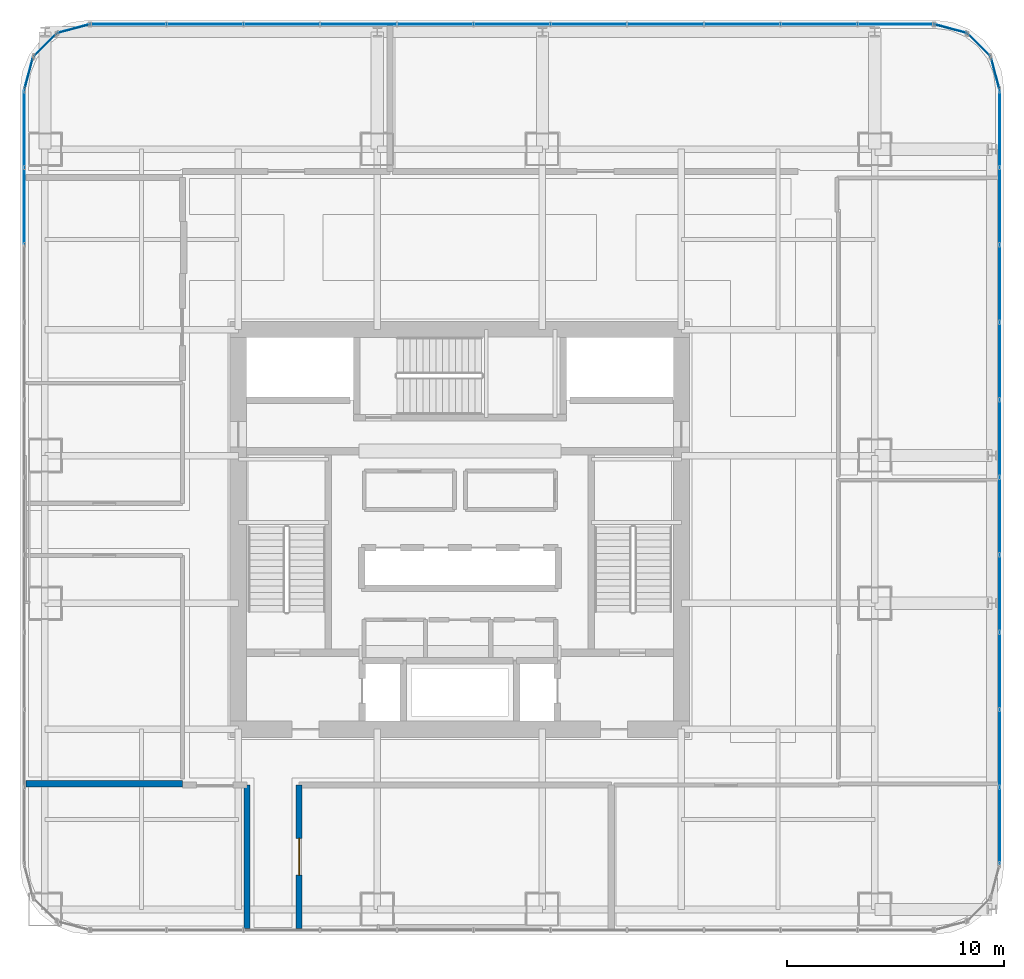
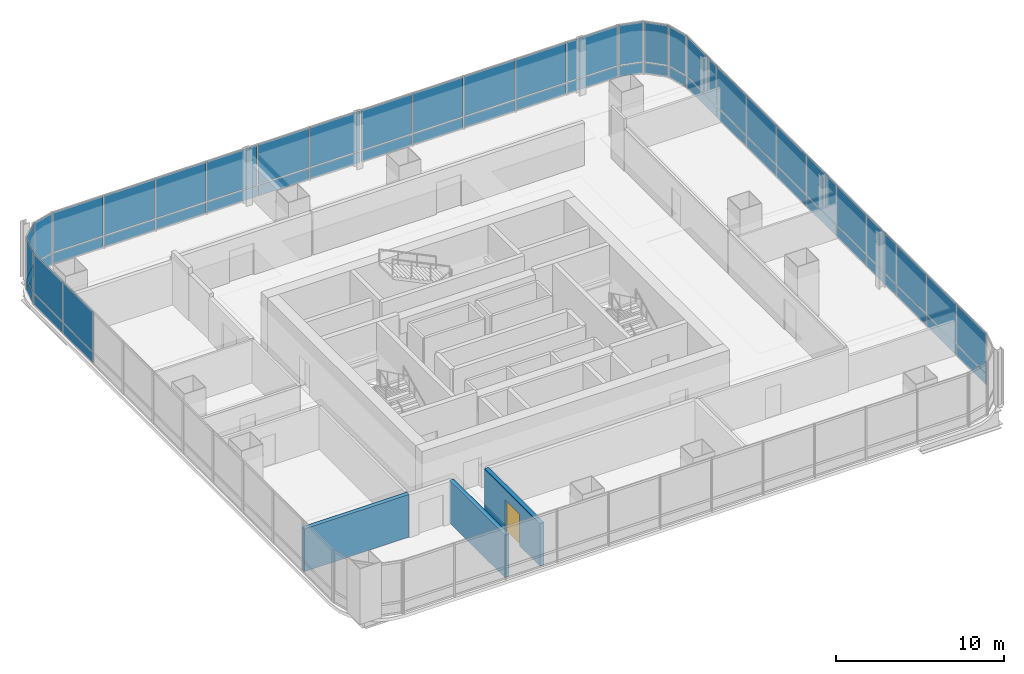
# One storey, part 26 of 34: 58 plates, 3 walls, 1 door, 1 opening, 9 elements without a shape of their own.
"""IFC4 building model written with IfcOpenShell, lengths in metres."""

from ifc_helpers import new_model, si_unit, direction, frame, frame_2d, origin, origin_2d, place, context, subcontext, project, spatial, rectangle, extrude, material, layer, layer_set, type_object, element, fill, aggregate, save


model = new_model("IFC4")

# Units and contexts
model_context = context("Model", 3, precision=1e-05, world=origin(), true_north=direction((0.0, 1.0)))
body_context = subcontext(model_context, "Body", "Model", "MODEL_VIEW")
ifc_project = project(units=[si_unit("LENGTHUNIT", "METRE"), si_unit("AREAUNIT", "SQUARE_METRE"), si_unit("VOLUMEUNIT", "CUBIC_METRE"), si_unit("PLANEANGLEUNIT", "RADIAN"), si_unit("MASSUNIT", "GRAM", prefix="KILO")], contexts=[model_context])

# Site, building, storey
site_placement = place(None, origin())
site = spatial("IfcSite", under=ifc_project, at=site_placement, CompositionType="ELEMENT")
building_placement = place(site_placement, origin())
building = spatial("IfcBuilding", under=site, at=building_placement, Name="Punatoya Terracotta Tower", CompositionType="ELEMENT")
storey_placement = place(building_placement, frame((0.0, 0.0, 101.10009765625)))
storey = spatial("IfcBuildingStorey", under=building, at=storey_placement, Name="L23", CompositionType="ELEMENT", Elevation=101.10009765625)

# Curtain wall, plates
ifc_material_1 = material(Name="Aluminium 6063-T6 + Double Low-E Glass", Category="aluminium")
curtain_wall_type = type_object("IfcCurtainWallType", Name="CW-M1", PredefinedType="NOTDEFINED", material=ifc_material_1)
curtain_wall_1_placement = place(storey_placement, origin())
curtain_wall_1 = element("IfcCurtainWall", 1, at=curtain_wall_1_placement, inside=storey, type_object=curtain_wall_type, Name="L23 Curtain Wall CW-L23-E05-1", PredefinedType="NOTDEFINED")
ifc_material_2 = material(Name="Double Low-E Clear Vision Glass", Category="glass")
ifc_layer_1 = layer(ifc_material_2, 0.028076171875)
ifc_layer_set_1 = layer_set([ifc_layer_1], Name="Double Low-E Clear Vision Glass")
plate_type_1 = type_object("IfcPlateType", Name="PLT-GLZ-28", PredefinedType="CURTAIN_PANEL", material=ifc_layer_set_1)
plate_1_placement = place(storey_placement, frame((24.85009765625, -13.6533203125, 0.889892578125), z_axis=(0.0, 0.0, 1.0), x_axis=(0.0, 1.0, 0.0)))
plate_1 = element("IfcPlate", 2, at=plate_1_placement, type_object=plate_type_1, Name="CW-L23-E05-1 Vision Glass Panel 1", PredefinedType="CURTAIN_PANEL", context=body_context, shape_type="SweptSolid", body=[
    extrude(rectangle(XDim=3.482421875, YDim=0.028076171875, at=origin_2d()), origin(), (0.0, 0.0, 1.0), 2.8798828125),
])
plate_2_placement = place(storey_placement, frame((24.85009765625, -10.085693359375, 0.889892578125), z_axis=(0.0, 0.0, 1.0), x_axis=(0.0, 1.0, 0.0)))
plate_2 = element("IfcPlate", 3, at=plate_2_placement, type_object=plate_type_1, Name="CW-L23-E05-1 Vision Glass Panel 2", PredefinedType="CURTAIN_PANEL", context=body_context, shape_type="SweptSolid", body=[
    extrude(rectangle(XDim=3.482421875, YDim=0.028076171875, at=origin_2d()), origin(), (0.0, 0.0, 1.0), 2.8798828125),
])
plate_3_placement = place(storey_placement, frame((24.85009765625, -6.518310546875, 0.889892578125), z_axis=(0.0, 0.0, 1.0), x_axis=(0.0, 1.0, 0.0)))
plate_3 = element("IfcPlate", 4, at=plate_3_placement, type_object=plate_type_1, Name="CW-L23-E05-1 Vision Glass Panel 3", PredefinedType="CURTAIN_PANEL", context=body_context, shape_type="SweptSolid", body=[
    extrude(rectangle(XDim=3.482421875, YDim=0.028076171875, at=origin_2d()), origin(), (0.0, 0.0, 1.0), 2.8798828125),
])
plate_4_placement = place(storey_placement, frame((24.85009765625, -2.951171875, 0.889892578125), z_axis=(0.0, 0.0, 1.0), x_axis=(0.0, 1.0, 0.0)))
plate_4 = element("IfcPlate", 5, at=plate_4_placement, type_object=plate_type_1, Name="CW-L23-E05-1 Vision Glass Panel 4", PredefinedType="CURTAIN_PANEL", context=body_context, shape_type="SweptSolid", body=[
    extrude(rectangle(XDim=3.482421875, YDim=0.028076171875, at=origin_2d()), origin(), (0.0, 0.0, 1.0), 2.8798828125),
])
plate_5_placement = place(storey_placement, frame((24.85009765625, 0.6162109375, 0.889892578125), z_axis=(0.0, 0.0, 1.0), x_axis=(0.0, 1.0, 0.0)))
plate_5 = element("IfcPlate", 6, at=plate_5_placement, type_object=plate_type_1, Name="CW-L23-E05-1 Vision Glass Panel 5", PredefinedType="CURTAIN_PANEL", context=body_context, shape_type="SweptSolid", body=[
    extrude(rectangle(XDim=3.482421875, YDim=0.028076171875, at=origin_2d()), origin(), (0.0, 0.0, 1.0), 2.8798828125),
])
plate_6_placement = place(storey_placement, frame((24.85009765625, 4.18359375, 0.889892578125), z_axis=(0.0, 0.0, 1.0), x_axis=(0.0, 1.0, 0.0)))
plate_6 = element("IfcPlate", 7, at=plate_6_placement, type_object=plate_type_1, Name="CW-L23-E05-1 Vision Glass Panel 6", PredefinedType="CURTAIN_PANEL", context=body_context, shape_type="SweptSolid", body=[
    extrude(rectangle(XDim=3.482421875, YDim=0.028076171875, at=origin_2d()), origin(), (0.0, 0.0, 1.0), 2.8798828125),
])
plate_7_placement = place(storey_placement, frame((24.85009765625, 7.751220703125, 0.889892578125), z_axis=(0.0, 0.0, 1.0), x_axis=(0.0, 1.0, 0.0)))
plate_7 = element("IfcPlate", 8, at=plate_7_placement, type_object=plate_type_1, Name="CW-L23-E05-1 Vision Glass Panel 7", PredefinedType="CURTAIN_PANEL", context=body_context, shape_type="SweptSolid", body=[
    extrude(rectangle(XDim=3.482421875, YDim=0.028076171875, at=origin_2d()), origin(), (0.0, 0.0, 1.0), 2.8798828125),
])
plate_8_placement = place(storey_placement, frame((24.85009765625, 11.318359375, 0.889892578125), z_axis=(0.0, 0.0, 1.0), x_axis=(0.0, 1.0, 0.0)))
plate_8 = element("IfcPlate", 9, at=plate_8_placement, type_object=plate_type_1, Name="CW-L23-E05-1 Vision Glass Panel 8", PredefinedType="CURTAIN_PANEL", context=body_context, shape_type="SweptSolid", body=[
    extrude(rectangle(XDim=3.482421875, YDim=0.028076171875, at=origin_2d()), origin(), (0.0, 0.0, 1.0), 2.8798828125),
])
plate_9_placement = place(storey_placement, frame((24.85009765625, 14.8857421875, 0.889892578125), z_axis=(0.0, 0.0, 1.0), x_axis=(0.0, 1.0, 0.0)))
plate_9 = element("IfcPlate", 10, at=plate_9_placement, type_object=plate_type_1, Name="CW-L23-E05-1 Vision Glass Panel 9", PredefinedType="CURTAIN_PANEL", context=body_context, shape_type="SweptSolid", body=[
    extrude(rectangle(XDim=3.482421875, YDim=0.028076171875, at=origin_2d()), origin(), (0.0, 0.0, 1.0), 2.8798828125),
])
plate_10_placement = place(storey_placement, frame((24.85009765625, 18.453125, 0.889892578125), z_axis=(0.0, 0.0, 1.0), x_axis=(0.0, 1.0, 0.0)))
plate_10 = element("IfcPlate", 11, at=plate_10_placement, type_object=plate_type_1, Name="CW-L23-E05-1 Vision Glass Panel 10", PredefinedType="CURTAIN_PANEL", context=body_context, shape_type="SweptSolid", body=[
    extrude(rectangle(XDim=3.482421875, YDim=0.028076171875, at=origin_2d()), origin(), (0.0, 0.0, 1.0), 2.8798828125),
])

# Curtain wall, plate
curtain_wall_2_placement = place(storey_placement, origin())
curtain_wall_2 = element("IfcCurtainWall", 12, at=curtain_wall_2_placement, inside=storey, type_object=curtain_wall_type, Name="L23 Curtain Wall CW-L23-CRN06", PredefinedType="NOTDEFINED")
plate_11_placement = place(storey_placement, frame((24.648193359375, 20.992919921875, 0.889892578125), z_axis=(0.0, 0.0, 1.0), x_axis=(-0.257741620719, 0.966213877436, 0.0)))
plate_11 = element("IfcPlate", 13, at=plate_11_placement, type_object=plate_type_1, Name="CW-L23-CRN06 Vision Glass Panel 1", PredefinedType="CURTAIN_PANEL", context=body_context, shape_type="SweptSolid", body=[
    extrude(rectangle(XDim=1.47998046875, YDim=0.028076171875, at=origin_2d()), origin(), (0.0, 0.0, 1.0), 2.8798828125),
])

curtain_wall_3_placement = place(storey_placement, origin())
curtain_wall_3 = element("IfcCurtainWall", 14, at=curtain_wall_3_placement, inside=storey, type_object=curtain_wall_type, Name="L23 Curtain Wall CW-L23-CRN07", PredefinedType="NOTDEFINED")
plate_12_placement = place(storey_placement, frame((23.89794921875, 22.2978515625, 0.889892578125), z_axis=(0.0, 0.0, 1.0), x_axis=(-0.707106781187, 0.707106781187, 0.0)))
plate_12 = element("IfcPlate", 15, at=plate_12_placement, type_object=plate_type_1, Name="CW-L23-CRN07 Vision Glass Panel 1", PredefinedType="CURTAIN_PANEL", context=body_context, shape_type="SweptSolid", body=[
    extrude(rectangle(XDim=1.467041015625, YDim=0.028076171875, at=origin_2d()), origin(), (0.0, 0.0, 1.0), 2.8798828125),
])

curtain_wall_4_placement = place(storey_placement, origin())
curtain_wall_4 = element("IfcCurtainWall", 16, at=curtain_wall_4_placement, inside=storey, type_object=curtain_wall_type, Name="L23 Curtain Wall CW-L23-CRN08", PredefinedType="NOTDEFINED")
plate_13_placement = place(storey_placement, frame((22.593017578125, 23.04833984375, 0.889892578125), z_axis=(0.0, 0.0, 1.0), x_axis=(-0.966213877436, 0.257741620719, 0.0)))
plate_13 = element("IfcPlate", 17, at=plate_13_placement, type_object=plate_type_1, Name="CW-L23-CRN08 Vision Glass Panel 1", PredefinedType="CURTAIN_PANEL", context=body_context, shape_type="SweptSolid", body=[
    extrude(rectangle(XDim=1.47998046875, YDim=0.028076171875, at=origin_2d()), origin(), (0.0, 0.0, 1.0), 2.8798828125),
])

# Curtain wall, plates
curtain_wall_5_placement = place(storey_placement, origin())
curtain_wall_5 = element("IfcCurtainWall", 18, at=curtain_wall_5_placement, inside=storey, type_object=curtain_wall_type, Name="L23 Curtain Wall CW-L23-N09-1", PredefinedType="NOTDEFINED")
plate_14_placement = place(storey_placement, frame((20.06982421875, 23.25, 0.889892578125), z_axis=(0.0, 0.0, 1.0), x_axis=(-1.0, 0.0, 0.0)))
plate_14 = element("IfcPlate", 19, at=plate_14_placement, type_object=plate_type_1, Name="CW-L23-N09-1 Vision Glass Panel 1", PredefinedType="CURTAIN_PANEL", context=body_context, shape_type="SweptSolid", body=[
    extrude(rectangle(XDim=3.448974609375, YDim=0.028076171875, at=origin_2d()), origin(), (0.0, 0.0, 1.0), 2.8798828125),
])
plate_15_placement = place(storey_placement, frame((16.535888671875, 23.25, 0.889892578125), z_axis=(0.0, 0.0, 1.0), x_axis=(-1.0, 0.0, 0.0)))
plate_15 = element("IfcPlate", 20, at=plate_15_placement, type_object=plate_type_1, Name="CW-L23-N09-1 Vision Glass Panel 2", PredefinedType="CURTAIN_PANEL", context=body_context, shape_type="SweptSolid", body=[
    extrude(rectangle(XDim=3.448974609375, YDim=0.028076171875, at=origin_2d()), origin(), (0.0, 0.0, 1.0), 2.8798828125),
])
plate_16_placement = place(storey_placement, frame((13.001953125, 23.25, 0.889892578125), z_axis=(0.0, 0.0, 1.0), x_axis=(-1.0, 0.0, 0.0)))
plate_16 = element("IfcPlate", 21, at=plate_16_placement, type_object=plate_type_1, Name="CW-L23-N09-1 Vision Glass Panel 3", PredefinedType="CURTAIN_PANEL", context=body_context, shape_type="SweptSolid", body=[
    extrude(rectangle(XDim=3.448974609375, YDim=0.028076171875, at=origin_2d()), origin(), (0.0, 0.0, 1.0), 2.8798828125),
])
plate_17_placement = place(storey_placement, frame((9.468017578125, 23.25, 0.889892578125), z_axis=(0.0, 0.0, 1.0), x_axis=(-1.0, 0.0, 0.0)))
plate_17 = element("IfcPlate", 22, at=plate_17_placement, type_object=plate_type_1, Name="CW-L23-N09-1 Vision Glass Panel 4", PredefinedType="CURTAIN_PANEL", context=body_context, shape_type="SweptSolid", body=[
    extrude(rectangle(XDim=3.448974609375, YDim=0.028076171875, at=origin_2d()), origin(), (0.0, 0.0, 1.0), 2.8798828125),
])
plate_18_placement = place(storey_placement, frame((5.93408203125, 23.25, 0.889892578125), z_axis=(0.0, 0.0, 1.0), x_axis=(-1.0, 0.0, 0.0)))
plate_18 = element("IfcPlate", 23, at=plate_18_placement, type_object=plate_type_1, Name="CW-L23-N09-1 Vision Glass Panel 5", PredefinedType="CURTAIN_PANEL", context=body_context, shape_type="SweptSolid", body=[
    extrude(rectangle(XDim=3.448974609375, YDim=0.028076171875, at=origin_2d()), origin(), (0.0, 0.0, 1.0), 2.8798828125),
])
plate_19_placement = place(storey_placement, frame((2.39990234375, 23.25, 0.889892578125), z_axis=(0.0, 0.0, 1.0), x_axis=(-1.0, 0.0, 0.0)))
plate_19 = element("IfcPlate", 24, at=plate_19_placement, type_object=plate_type_1, Name="CW-L23-N09-1 Vision Glass Panel 6", PredefinedType="CURTAIN_PANEL", context=body_context, shape_type="SweptSolid", body=[
    extrude(rectangle(XDim=3.448974609375, YDim=0.028076171875, at=origin_2d()), origin(), (0.0, 0.0, 1.0), 2.8798828125),
])
plate_20_placement = place(storey_placement, frame((-1.134033203125, 23.25, 0.889892578125), z_axis=(0.0, 0.0, 1.0), x_axis=(-1.0, 0.0, 0.0)))
plate_20 = element("IfcPlate", 25, at=plate_20_placement, type_object=plate_type_1, Name="CW-L23-N09-1 Vision Glass Panel 7", PredefinedType="CURTAIN_PANEL", context=body_context, shape_type="SweptSolid", body=[
    extrude(rectangle(XDim=3.448974609375, YDim=0.028076171875, at=origin_2d()), origin(), (0.0, 0.0, 1.0), 2.8798828125),
])
plate_21_placement = place(storey_placement, frame((-4.66796875, 23.25, 0.889892578125), z_axis=(0.0, 0.0, 1.0), x_axis=(-1.0, 0.0, 0.0)))
plate_21 = element("IfcPlate", 26, at=plate_21_placement, type_object=plate_type_1, Name="CW-L23-N09-1 Vision Glass Panel 8", PredefinedType="CURTAIN_PANEL", context=body_context, shape_type="SweptSolid", body=[
    extrude(rectangle(XDim=3.448974609375, YDim=0.028076171875, at=origin_2d()), origin(), (0.0, 0.0, 1.0), 2.8798828125),
])
plate_22_placement = place(storey_placement, frame((-8.201904296875, 23.25, 0.889892578125), z_axis=(0.0, 0.0, 1.0), x_axis=(-1.0, 0.0, 0.0)))
plate_22 = element("IfcPlate", 27, at=plate_22_placement, type_object=plate_type_1, Name="CW-L23-N09-1 Vision Glass Panel 9", PredefinedType="CURTAIN_PANEL", context=body_context, shape_type="SweptSolid", body=[
    extrude(rectangle(XDim=3.448974609375, YDim=0.028076171875, at=origin_2d()), origin(), (0.0, 0.0, 1.0), 2.8798828125),
])
plate_23_placement = place(storey_placement, frame((-11.73583984375, 23.25, 0.889892578125), z_axis=(0.0, 0.0, 1.0), x_axis=(-1.0, 0.0, 0.0)))
plate_23 = element("IfcPlate", 28, at=plate_23_placement, type_object=plate_type_1, Name="CW-L23-N09-1 Vision Glass Panel 10", PredefinedType="CURTAIN_PANEL", context=body_context, shape_type="SweptSolid", body=[
    extrude(rectangle(XDim=3.448974609375, YDim=0.028076171875, at=origin_2d()), origin(), (0.0, 0.0, 1.0), 2.8798828125),
])
plate_24_placement = place(storey_placement, frame((-15.27001953125, 23.25, 0.889892578125), z_axis=(0.0, 0.0, 1.0), x_axis=(-1.0, 0.0, 0.0)))
plate_24 = element("IfcPlate", 29, at=plate_24_placement, type_object=plate_type_1, Name="CW-L23-N09-1 Vision Glass Panel 11", PredefinedType="CURTAIN_PANEL", context=body_context, shape_type="SweptSolid", body=[
    extrude(rectangle(XDim=3.448974609375, YDim=0.028076171875, at=origin_2d()), origin(), (0.0, 0.0, 1.0), 2.8798828125),
])

# Curtain wall, plate
curtain_wall_6_placement = place(storey_placement, origin())
curtain_wall_6 = element("IfcCurtainWall", 30, at=curtain_wall_6_placement, inside=storey, type_object=curtain_wall_type, Name="L23 Curtain Wall CW-L23-CRN10", PredefinedType="NOTDEFINED")
plate_25_placement = place(storey_placement, frame((-17.79296875, 23.04833984375, 0.889892578125), z_axis=(0.0, 0.0, 1.0), x_axis=(-0.966213877436, -0.257741620719, 0.0)))
plate_25 = element("IfcPlate", 31, at=plate_25_placement, type_object=plate_type_1, Name="CW-L23-CRN10 Vision Glass Panel 1", PredefinedType="CURTAIN_PANEL", context=body_context, shape_type="SweptSolid", body=[
    extrude(rectangle(XDim=1.47998046875, YDim=0.028076171875, at=origin_2d()), origin(), (0.0, 0.0, 1.0), 2.8798828125),
])

curtain_wall_7_placement = place(storey_placement, origin())
curtain_wall_7 = element("IfcCurtainWall", 32, at=curtain_wall_7_placement, inside=storey, type_object=curtain_wall_type, Name="L23 Curtain Wall CW-L23-CRN11", PredefinedType="NOTDEFINED")
plate_26_placement = place(storey_placement, frame((-19.097900390625, 22.2978515625, 0.889892578125), z_axis=(0.0, 0.0, 1.0), x_axis=(-0.707106781187, -0.707106781187, 0.0)))
plate_26 = element("IfcPlate", 33, at=plate_26_placement, type_object=plate_type_1, Name="CW-L23-CRN11 Vision Glass Panel 1", PredefinedType="CURTAIN_PANEL", context=body_context, shape_type="SweptSolid", body=[
    extrude(rectangle(XDim=1.467041015625, YDim=0.028076171875, at=origin_2d()), origin(), (0.0, 0.0, 1.0), 2.8798828125),
])

curtain_wall_8_placement = place(storey_placement, origin())
curtain_wall_8 = element("IfcCurtainWall", 34, at=curtain_wall_8_placement, inside=storey, type_object=curtain_wall_type, Name="L23 Curtain Wall CW-L23-CRN12", PredefinedType="NOTDEFINED")
plate_27_placement = place(storey_placement, frame((-19.848388671875, 20.992919921875, 0.889892578125), z_axis=(0.0, 0.0, 1.0), x_axis=(-0.257741620719, -0.966213877436, 0.0)))
plate_27 = element("IfcPlate", 35, at=plate_27_placement, type_object=plate_type_1, Name="CW-L23-CRN12 Vision Glass Panel 1", PredefinedType="CURTAIN_PANEL", context=body_context, shape_type="SweptSolid", body=[
    extrude(rectangle(XDim=1.47998046875, YDim=0.028076171875, at=origin_2d()), origin(), (0.0, 0.0, 1.0), 2.8798828125),
])

# Curtain wall, plates
curtain_wall_9_placement = place(storey_placement, origin())
curtain_wall_9 = element("IfcCurtainWall", 36, at=curtain_wall_9_placement, inside=storey, type_object=curtain_wall_type, Name="L23 Curtain Wall CW-L23-W13-1", PredefinedType="NOTDEFINED")
plate_28_placement = place(storey_placement, frame((-20.050048828125, 18.453125, 0.889892578125), z_axis=(0.0, 0.0, 1.0), x_axis=(0.0, -1.0, 0.0)))
plate_28 = element("IfcPlate", 37, at=plate_28_placement, type_object=plate_type_1, Name="CW-L23-W13-1 Vision Glass Panel 1", PredefinedType="CURTAIN_PANEL", context=body_context, shape_type="SweptSolid", body=[
    extrude(rectangle(XDim=3.482421875, YDim=0.028076171875, at=origin_2d()), origin(), (0.0, 0.0, 1.0), 2.8798828125),
])
plate_29_placement = place(storey_placement, frame((-20.050048828125, 14.8857421875, 0.889892578125), z_axis=(0.0, 0.0, 1.0), x_axis=(0.0, -1.0, 0.0)))
plate_29 = element("IfcPlate", 38, at=plate_29_placement, type_object=plate_type_1, Name="CW-L23-W13-1 Vision Glass Panel 2", PredefinedType="CURTAIN_PANEL", context=body_context, shape_type="SweptSolid", body=[
    extrude(rectangle(XDim=3.482421875, YDim=0.028076171875, at=origin_2d()), origin(), (0.0, 0.0, 1.0), 2.8798828125),
])

# Plate
ifc_material_3 = material(Name="Insulated Terracotta-Backed Spandrel Panel", Category="masonry")
ifc_layer_2 = layer(ifc_material_3, 0.044921875)
ifc_layer_set_2 = layer_set([ifc_layer_2], Name="Insulated Terracotta-Backed Spandrel Panel")
plate_type_2 = type_object("IfcPlateType", Name="PLT-SPN-45", PredefinedType="CURTAIN_PANEL", material=ifc_layer_set_2)
plate_30_placement = place(storey_placement, frame((24.85009765625, -13.6533203125, 0.0400390625), z_axis=(0.0, 0.0, 1.0), x_axis=(0.0, 1.0, 0.0)))
plate_30 = element("IfcPlate", 39, at=plate_30_placement, type_object=plate_type_2, Name="CW-L23-E05-1 Terracotta Spandrel Panel 1", PredefinedType="CURTAIN_PANEL", context=body_context, shape_type="SweptSolid", body=[
    extrude(rectangle(XDim=3.482421875, YDim=0.044921875, at=origin_2d()), origin(), (0.0, 0.0, 1.0), 0.77490234375),
])

plate_31_placement = place(storey_placement, frame((24.85009765625, -10.085693359375, 0.0400390625), z_axis=(0.0, 0.0, 1.0), x_axis=(0.0, 1.0, 0.0)))
plate_31 = element("IfcPlate", 40, at=plate_31_placement, type_object=plate_type_2, Name="CW-L23-E05-1 Terracotta Spandrel Panel 2", PredefinedType="CURTAIN_PANEL", context=body_context, shape_type="SweptSolid", body=[
    extrude(rectangle(XDim=3.482421875, YDim=0.044921875, at=origin_2d()), origin(), (0.0, 0.0, 1.0), 0.77490234375),
])

plate_32_placement = place(storey_placement, frame((24.85009765625, -6.518310546875, 0.0400390625), z_axis=(0.0, 0.0, 1.0), x_axis=(0.0, 1.0, 0.0)))
plate_32 = element("IfcPlate", 41, at=plate_32_placement, type_object=plate_type_2, Name="CW-L23-E05-1 Terracotta Spandrel Panel 3", PredefinedType="CURTAIN_PANEL", context=body_context, shape_type="SweptSolid", body=[
    extrude(rectangle(XDim=3.482421875, YDim=0.044921875, at=origin_2d()), origin(), (0.0, 0.0, 1.0), 0.77490234375),
])

plate_33_placement = place(storey_placement, frame((24.85009765625, -2.951171875, 0.0400390625), z_axis=(0.0, 0.0, 1.0), x_axis=(0.0, 1.0, 0.0)))
plate_33 = element("IfcPlate", 42, at=plate_33_placement, type_object=plate_type_2, Name="CW-L23-E05-1 Terracotta Spandrel Panel 4", PredefinedType="CURTAIN_PANEL", context=body_context, shape_type="SweptSolid", body=[
    extrude(rectangle(XDim=3.482421875, YDim=0.044921875, at=origin_2d()), origin(), (0.0, 0.0, 1.0), 0.77490234375),
])

plate_34_placement = place(storey_placement, frame((24.85009765625, 0.6162109375, 0.0400390625), z_axis=(0.0, 0.0, 1.0), x_axis=(0.0, 1.0, 0.0)))
plate_34 = element("IfcPlate", 43, at=plate_34_placement, type_object=plate_type_2, Name="CW-L23-E05-1 Terracotta Spandrel Panel 5", PredefinedType="CURTAIN_PANEL", context=body_context, shape_type="SweptSolid", body=[
    extrude(rectangle(XDim=3.482421875, YDim=0.044921875, at=origin_2d()), origin(), (0.0, 0.0, 1.0), 0.77490234375),
])

plate_35_placement = place(storey_placement, frame((24.85009765625, 4.18359375, 0.0400390625), z_axis=(0.0, 0.0, 1.0), x_axis=(0.0, 1.0, 0.0)))
plate_35 = element("IfcPlate", 44, at=plate_35_placement, type_object=plate_type_2, Name="CW-L23-E05-1 Terracotta Spandrel Panel 6", PredefinedType="CURTAIN_PANEL", context=body_context, shape_type="SweptSolid", body=[
    extrude(rectangle(XDim=3.482421875, YDim=0.044921875, at=origin_2d()), origin(), (0.0, 0.0, 1.0), 0.77490234375),
])

plate_36_placement = place(storey_placement, frame((24.85009765625, 7.751220703125, 0.0400390625), z_axis=(0.0, 0.0, 1.0), x_axis=(0.0, 1.0, 0.0)))
plate_36 = element("IfcPlate", 45, at=plate_36_placement, type_object=plate_type_2, Name="CW-L23-E05-1 Terracotta Spandrel Panel 7", PredefinedType="CURTAIN_PANEL", context=body_context, shape_type="SweptSolid", body=[
    extrude(rectangle(XDim=3.482421875, YDim=0.044921875, at=origin_2d()), origin(), (0.0, 0.0, 1.0), 0.77490234375),
])

plate_37_placement = place(storey_placement, frame((24.85009765625, 11.318359375, 0.0400390625), z_axis=(0.0, 0.0, 1.0), x_axis=(0.0, 1.0, 0.0)))
plate_37 = element("IfcPlate", 46, at=plate_37_placement, type_object=plate_type_2, Name="CW-L23-E05-1 Terracotta Spandrel Panel 8", PredefinedType="CURTAIN_PANEL", context=body_context, shape_type="SweptSolid", body=[
    extrude(rectangle(XDim=3.482421875, YDim=0.044921875, at=origin_2d()), origin(), (0.0, 0.0, 1.0), 0.77490234375),
])

plate_38_placement = place(storey_placement, frame((24.85009765625, 14.8857421875, 0.0400390625), z_axis=(0.0, 0.0, 1.0), x_axis=(0.0, 1.0, 0.0)))
plate_38 = element("IfcPlate", 47, at=plate_38_placement, type_object=plate_type_2, Name="CW-L23-E05-1 Terracotta Spandrel Panel 9", PredefinedType="CURTAIN_PANEL", context=body_context, shape_type="SweptSolid", body=[
    extrude(rectangle(XDim=3.482421875, YDim=0.044921875, at=origin_2d()), origin(), (0.0, 0.0, 1.0), 0.77490234375),
])

plate_39_placement = place(storey_placement, frame((24.85009765625, 18.453125, 0.0400390625), z_axis=(0.0, 0.0, 1.0), x_axis=(0.0, 1.0, 0.0)))
plate_39 = element("IfcPlate", 48, at=plate_39_placement, type_object=plate_type_2, Name="CW-L23-E05-1 Terracotta Spandrel Panel 10", PredefinedType="CURTAIN_PANEL", context=body_context, shape_type="SweptSolid", body=[
    extrude(rectangle(XDim=3.482421875, YDim=0.044921875, at=origin_2d()), origin(), (0.0, 0.0, 1.0), 0.77490234375),
])

aggregate(curtain_wall_1, [plate_30, plate_1, plate_31, plate_2, plate_32, plate_3, plate_33, plate_4, plate_34, plate_5, plate_35, plate_6, plate_36, plate_7, plate_37, plate_8, plate_38, plate_9, plate_39, plate_10])

plate_40_placement = place(storey_placement, frame((24.648193359375, 20.992919921875, 0.0400390625), z_axis=(0.0, 0.0, 1.0), x_axis=(-0.257741620719, 0.966213877436, 0.0)))
plate_40 = element("IfcPlate", 49, at=plate_40_placement, type_object=plate_type_2, Name="CW-L23-CRN06 Terracotta Spandrel Panel 1", PredefinedType="CURTAIN_PANEL", context=body_context, shape_type="SweptSolid", body=[
    extrude(rectangle(XDim=1.47998046875, YDim=0.044921875, at=origin_2d()), origin(), (0.0, 0.0, 1.0), 0.77490234375),
])

aggregate(curtain_wall_2, [plate_40, plate_11])

plate_41_placement = place(storey_placement, frame((23.89794921875, 22.2978515625, 0.0400390625), z_axis=(0.0, 0.0, 1.0), x_axis=(-0.707106781187, 0.707106781187, 0.0)))
plate_41 = element("IfcPlate", 50, at=plate_41_placement, type_object=plate_type_2, Name="CW-L23-CRN07 Terracotta Spandrel Panel 1", PredefinedType="CURTAIN_PANEL", context=body_context, shape_type="SweptSolid", body=[
    extrude(rectangle(XDim=1.467041015625, YDim=0.044921875, at=origin_2d()), origin(), (0.0, 0.0, 1.0), 0.77490234375),
])

aggregate(curtain_wall_3, [plate_41, plate_12])

plate_42_placement = place(storey_placement, frame((22.593017578125, 23.04833984375, 0.0400390625), z_axis=(0.0, 0.0, 1.0), x_axis=(-0.966213877436, 0.257741620719, 0.0)))
plate_42 = element("IfcPlate", 51, at=plate_42_placement, type_object=plate_type_2, Name="CW-L23-CRN08 Terracotta Spandrel Panel 1", PredefinedType="CURTAIN_PANEL", context=body_context, shape_type="SweptSolid", body=[
    extrude(rectangle(XDim=1.47998046875, YDim=0.044921875, at=origin_2d()), origin(), (0.0, 0.0, 1.0), 0.77490234375),
])

aggregate(curtain_wall_4, [plate_42, plate_13])

plate_43_placement = place(storey_placement, frame((20.06982421875, 23.25, 0.0400390625), z_axis=(0.0, 0.0, 1.0), x_axis=(-1.0, 0.0, 0.0)))
plate_43 = element("IfcPlate", 52, at=plate_43_placement, type_object=plate_type_2, Name="CW-L23-N09-1 Terracotta Spandrel Panel 1", PredefinedType="CURTAIN_PANEL", context=body_context, shape_type="SweptSolid", body=[
    extrude(rectangle(XDim=3.448974609375, YDim=0.044921875, at=origin_2d()), origin(), (0.0, 0.0, 1.0), 0.77490234375),
])

plate_44_placement = place(storey_placement, frame((16.535888671875, 23.25, 0.0400390625), z_axis=(0.0, 0.0, 1.0), x_axis=(-1.0, 0.0, 0.0)))
plate_44 = element("IfcPlate", 53, at=plate_44_placement, type_object=plate_type_2, Name="CW-L23-N09-1 Terracotta Spandrel Panel 2", PredefinedType="CURTAIN_PANEL", context=body_context, shape_type="SweptSolid", body=[
    extrude(rectangle(XDim=3.448974609375, YDim=0.044921875, at=origin_2d()), origin(), (0.0, 0.0, 1.0), 0.77490234375),
])

plate_45_placement = place(storey_placement, frame((13.001953125, 23.25, 0.0400390625), z_axis=(0.0, 0.0, 1.0), x_axis=(-1.0, 0.0, 0.0)))
plate_45 = element("IfcPlate", 54, at=plate_45_placement, type_object=plate_type_2, Name="CW-L23-N09-1 Terracotta Spandrel Panel 3", PredefinedType="CURTAIN_PANEL", context=body_context, shape_type="SweptSolid", body=[
    extrude(rectangle(XDim=3.448974609375, YDim=0.044921875, at=origin_2d()), origin(), (0.0, 0.0, 1.0), 0.77490234375),
])

plate_46_placement = place(storey_placement, frame((9.468017578125, 23.25, 0.0400390625), z_axis=(0.0, 0.0, 1.0), x_axis=(-1.0, 0.0, 0.0)))
plate_46 = element("IfcPlate", 55, at=plate_46_placement, type_object=plate_type_2, Name="CW-L23-N09-1 Terracotta Spandrel Panel 4", PredefinedType="CURTAIN_PANEL", context=body_context, shape_type="SweptSolid", body=[
    extrude(rectangle(XDim=3.448974609375, YDim=0.044921875, at=origin_2d()), origin(), (0.0, 0.0, 1.0), 0.77490234375),
])

plate_47_placement = place(storey_placement, frame((5.93408203125, 23.25, 0.0400390625), z_axis=(0.0, 0.0, 1.0), x_axis=(-1.0, 0.0, 0.0)))
plate_47 = element("IfcPlate", 56, at=plate_47_placement, type_object=plate_type_2, Name="CW-L23-N09-1 Terracotta Spandrel Panel 5", PredefinedType="CURTAIN_PANEL", context=body_context, shape_type="SweptSolid", body=[
    extrude(rectangle(XDim=3.448974609375, YDim=0.044921875, at=origin_2d()), origin(), (0.0, 0.0, 1.0), 0.77490234375),
])

plate_48_placement = place(storey_placement, frame((2.39990234375, 23.25, 0.0400390625), z_axis=(0.0, 0.0, 1.0), x_axis=(-1.0, 0.0, 0.0)))
plate_48 = element("IfcPlate", 57, at=plate_48_placement, type_object=plate_type_2, Name="CW-L23-N09-1 Terracotta Spandrel Panel 6", PredefinedType="CURTAIN_PANEL", context=body_context, shape_type="SweptSolid", body=[
    extrude(rectangle(XDim=3.448974609375, YDim=0.044921875, at=origin_2d()), origin(), (0.0, 0.0, 1.0), 0.77490234375),
])

plate_49_placement = place(storey_placement, frame((-1.134033203125, 23.25, 0.0400390625), z_axis=(0.0, 0.0, 1.0), x_axis=(-1.0, 0.0, 0.0)))
plate_49 = element("IfcPlate", 58, at=plate_49_placement, type_object=plate_type_2, Name="CW-L23-N09-1 Terracotta Spandrel Panel 7", PredefinedType="CURTAIN_PANEL", context=body_context, shape_type="SweptSolid", body=[
    extrude(rectangle(XDim=3.448974609375, YDim=0.044921875, at=origin_2d()), origin(), (0.0, 0.0, 1.0), 0.77490234375),
])

plate_50_placement = place(storey_placement, frame((-4.66796875, 23.25, 0.0400390625), z_axis=(0.0, 0.0, 1.0), x_axis=(-1.0, 0.0, 0.0)))
plate_50 = element("IfcPlate", 59, at=plate_50_placement, type_object=plate_type_2, Name="CW-L23-N09-1 Terracotta Spandrel Panel 8", PredefinedType="CURTAIN_PANEL", context=body_context, shape_type="SweptSolid", body=[
    extrude(rectangle(XDim=3.448974609375, YDim=0.044921875, at=origin_2d()), origin(), (0.0, 0.0, 1.0), 0.77490234375),
])

plate_51_placement = place(storey_placement, frame((-8.201904296875, 23.25, 0.0400390625), z_axis=(0.0, 0.0, 1.0), x_axis=(-1.0, 0.0, 0.0)))
plate_51 = element("IfcPlate", 60, at=plate_51_placement, type_object=plate_type_2, Name="CW-L23-N09-1 Terracotta Spandrel Panel 9", PredefinedType="CURTAIN_PANEL", context=body_context, shape_type="SweptSolid", body=[
    extrude(rectangle(XDim=3.448974609375, YDim=0.044921875, at=origin_2d()), origin(), (0.0, 0.0, 1.0), 0.77490234375),
])

plate_52_placement = place(storey_placement, frame((-11.73583984375, 23.25, 0.0400390625), z_axis=(0.0, 0.0, 1.0), x_axis=(-1.0, 0.0, 0.0)))
plate_52 = element("IfcPlate", 61, at=plate_52_placement, type_object=plate_type_2, Name="CW-L23-N09-1 Terracotta Spandrel Panel 10", PredefinedType="CURTAIN_PANEL", context=body_context, shape_type="SweptSolid", body=[
    extrude(rectangle(XDim=3.448974609375, YDim=0.044921875, at=origin_2d()), origin(), (0.0, 0.0, 1.0), 0.77490234375),
])

plate_53_placement = place(storey_placement, frame((-15.27001953125, 23.25, 0.0400390625), z_axis=(0.0, 0.0, 1.0), x_axis=(-1.0, 0.0, 0.0)))
plate_53 = element("IfcPlate", 62, at=plate_53_placement, type_object=plate_type_2, Name="CW-L23-N09-1 Terracotta Spandrel Panel 11", PredefinedType="CURTAIN_PANEL", context=body_context, shape_type="SweptSolid", body=[
    extrude(rectangle(XDim=3.448974609375, YDim=0.044921875, at=origin_2d()), origin(), (0.0, 0.0, 1.0), 0.77490234375),
])

aggregate(curtain_wall_5, [plate_43, plate_14, plate_44, plate_15, plate_45, plate_16, plate_46, plate_17, plate_47, plate_18, plate_48, plate_19, plate_49, plate_20, plate_50, plate_21, plate_51, plate_22, plate_52, plate_23, plate_53, plate_24])

plate_54_placement = place(storey_placement, frame((-17.79296875, 23.04833984375, 0.0400390625), z_axis=(0.0, 0.0, 1.0), x_axis=(-0.966213877436, -0.257741620719, 0.0)))
plate_54 = element("IfcPlate", 63, at=plate_54_placement, type_object=plate_type_2, Name="CW-L23-CRN10 Terracotta Spandrel Panel 1", PredefinedType="CURTAIN_PANEL", context=body_context, shape_type="SweptSolid", body=[
    extrude(rectangle(XDim=1.47998046875, YDim=0.044921875, at=origin_2d()), origin(), (0.0, 0.0, 1.0), 0.77490234375),
])

aggregate(curtain_wall_6, [plate_54, plate_25])

plate_55_placement = place(storey_placement, frame((-19.097900390625, 22.2978515625, 0.0400390625), z_axis=(0.0, 0.0, 1.0), x_axis=(-0.707106781187, -0.707106781187, 0.0)))
plate_55 = element("IfcPlate", 64, at=plate_55_placement, type_object=plate_type_2, Name="CW-L23-CRN11 Terracotta Spandrel Panel 1", PredefinedType="CURTAIN_PANEL", context=body_context, shape_type="SweptSolid", body=[
    extrude(rectangle(XDim=1.467041015625, YDim=0.044921875, at=origin_2d()), origin(), (0.0, 0.0, 1.0), 0.77490234375),
])

aggregate(curtain_wall_7, [plate_55, plate_26])

plate_56_placement = place(storey_placement, frame((-19.848388671875, 20.992919921875, 0.0400390625), z_axis=(0.0, 0.0, 1.0), x_axis=(-0.257741620719, -0.966213877436, 0.0)))
plate_56 = element("IfcPlate", 65, at=plate_56_placement, type_object=plate_type_2, Name="CW-L23-CRN12 Terracotta Spandrel Panel 1", PredefinedType="CURTAIN_PANEL", context=body_context, shape_type="SweptSolid", body=[
    extrude(rectangle(XDim=1.47998046875, YDim=0.044921875, at=origin_2d()), origin(), (0.0, 0.0, 1.0), 0.77490234375),
])

aggregate(curtain_wall_8, [plate_56, plate_27])

plate_57_placement = place(storey_placement, frame((-20.050048828125, 18.453125, 0.0400390625), z_axis=(0.0, 0.0, 1.0), x_axis=(0.0, -1.0, 0.0)))
plate_57 = element("IfcPlate", 66, at=plate_57_placement, type_object=plate_type_2, Name="CW-L23-W13-1 Terracotta Spandrel Panel 1", PredefinedType="CURTAIN_PANEL", context=body_context, shape_type="SweptSolid", body=[
    extrude(rectangle(XDim=3.482421875, YDim=0.044921875, at=origin_2d()), origin(), (0.0, 0.0, 1.0), 0.77490234375),
])

plate_58_placement = place(storey_placement, frame((-20.050048828125, 14.8857421875, 0.0400390625), z_axis=(0.0, 0.0, 1.0), x_axis=(0.0, -1.0, 0.0)))
plate_58 = element("IfcPlate", 67, at=plate_58_placement, type_object=plate_type_2, Name="CW-L23-W13-1 Terracotta Spandrel Panel 2", PredefinedType="CURTAIN_PANEL", context=body_context, shape_type="SweptSolid", body=[
    extrude(rectangle(XDim=3.482421875, YDim=0.044921875, at=origin_2d()), origin(), (0.0, 0.0, 1.0), 0.77490234375),
])

aggregate(curtain_wall_9, [plate_57, plate_28, plate_58, plate_29])

# Wall, opening, door
ifc_material_4 = material(Name="Concrete C40/50", Category="concrete")
ifc_layer_3 = layer(ifc_material_4, 0.280029296875)
ifc_layer_set_3 = layer_set([ifc_layer_3], Name="Concrete C40/50")
wall_type = type_object("IfcWallType", Name="WL-AUD-280", PredefinedType="SOLIDWALL", material=ifc_layer_set_3)
wall_1_placement = place(storey_placement, frame((-7.39990234375, -18.3701171875, 0.0), z_axis=(0.0, 0.0, 1.0), x_axis=(0.0, 1.0, 0.0)))
wall_1 = element("IfcWall", 68, at=wall_1_placement, inside=storey, type_object=wall_type, Name="L23 Open-Plan Client Dining Salon Partition 16", PredefinedType="SOLIDWALL", context=body_context, shape_type="SweptSolid", body=[
    extrude(rectangle(XDim=6.60009765625, YDim=0.280029296875, at=frame_2d((3.300048828125, 0.0))), origin(), (0.0, 0.0, 1.0), 3.10400390625),
])
opening_placement = place(wall_1_placement, frame((2.449951171875, 0.0, 0.0)))
opening = element("IfcOpeningElement", 69, at=opening_placement, cuts=wall_1, Name="Opening FD-D1", PredefinedType="OPENING", context=body_context, shape_type="SweptSolid", body=[
    extrude(rectangle(XDim=1.699951171875, YDim=2.300048828125, at=frame_2d((0.85009765625, 1.14990234375))), frame((0.0, 0.14990234375, 0.0), z_axis=(0.0, -1.0, 0.0), x_axis=(1.0, 0.0, 0.0)), (0.0, 0.0, 1.0), 0.300048828125),
])
ifc_material_5 = material(Name="Timber Teak Veneer Fire Leaf", Category="wood")
door_type = type_object("IfcDoorType", Name="DR-DIN-1700", OperationType="NOTDEFINED", PredefinedType="DOOR", material=ifc_material_5)
door_placement = place(opening_placement, origin())
door = element("IfcDoor", 70, at=door_placement, inside=storey, type_object=door_type, Name="L23 Open-Plan Client Dining Salon Fire Door", OperationType="DOUBLE_DOOR_SINGLE_SWING", OverallHeight=2.300048828125, OverallWidth=1.699951171875, PredefinedType="DOOR", context=body_context, shape_type="SweptSolid", body=[
    extrude(rectangle(XDim=1.699951171875, YDim=2.300048828125, at=frame_2d((0.85009765625, 1.14990234375))), frame((0.0, 0.02490234375, 0.0), z_axis=(0.0, -1.0, 0.0), x_axis=(1.0, 0.0, 0.0)), (0.0, 0.0, 1.0), 0.050048828125),
])
fill(opening, door)

# Walls
wall_2_placement = place(storey_placement, frame((-19.969970703125, -11.7099609375, 0.0), z_axis=(0.0, 0.0, 1.0), x_axis=(1.0, 0.0, 0.0)))
element("IfcWall", 71, at=wall_2_placement, inside=storey, type_object=wall_type, Name="L23 Open-Plan Executive Bistro Lounge Partition 19", PredefinedType="SOLIDWALL", context=body_context, shape_type="SweptSolid", body=[
    extrude(rectangle(XDim=7.199951171875, YDim=0.280029296875, at=frame_2d((3.60009765625, 0.0))), origin(), (0.0, 0.0, 1.0), 3.10400390625),
])
wall_3_placement = place(storey_placement, frame((-9.800048828125, -11.77001953125, 0.0), z_axis=(0.0, 0.0, 1.0), x_axis=(0.0, -1.0, 0.0)))
element("IfcWall", 72, at=wall_3_placement, inside=storey, type_object=wall_type, Name="L23 Open-Plan Executive Bistro Lounge Partition 21", PredefinedType="SOLIDWALL", context=body_context, shape_type="SweptSolid", body=[
    extrude(rectangle(XDim=6.60009765625, YDim=0.280029296875, at=frame_2d((3.300048828125, 0.0))), origin(), (0.0, 0.0, 1.0), 3.10400390625),
])

save(model, "model.ifc")
